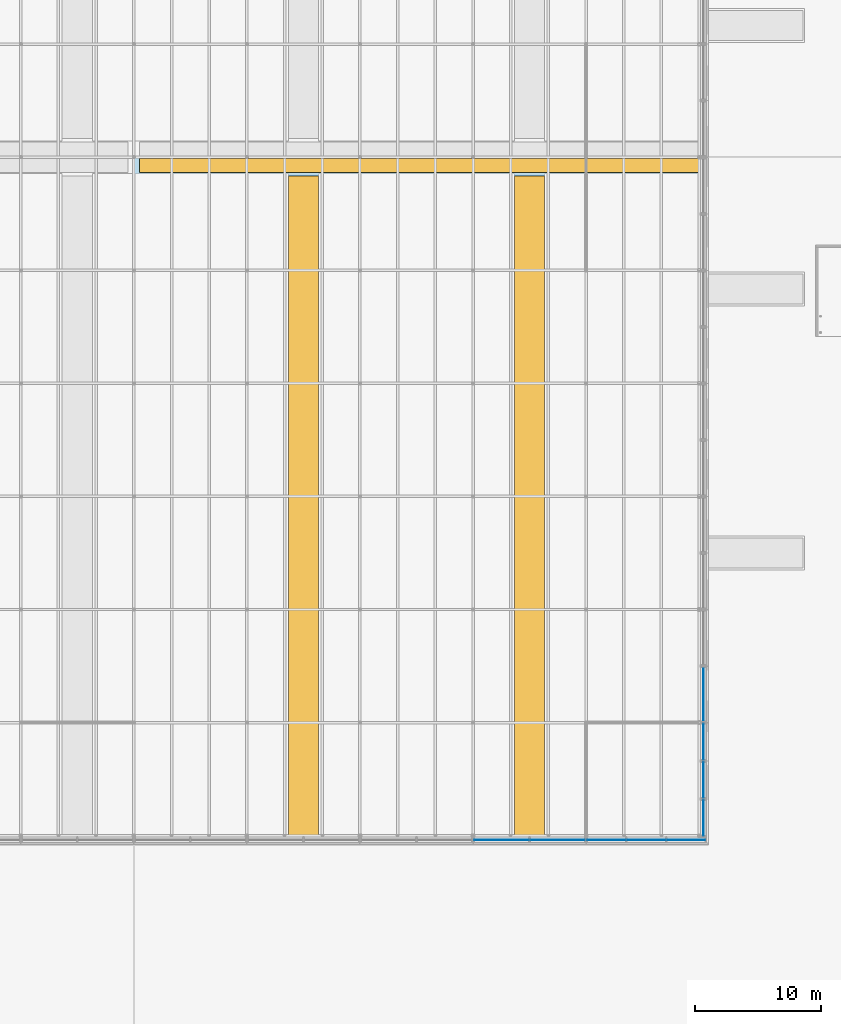
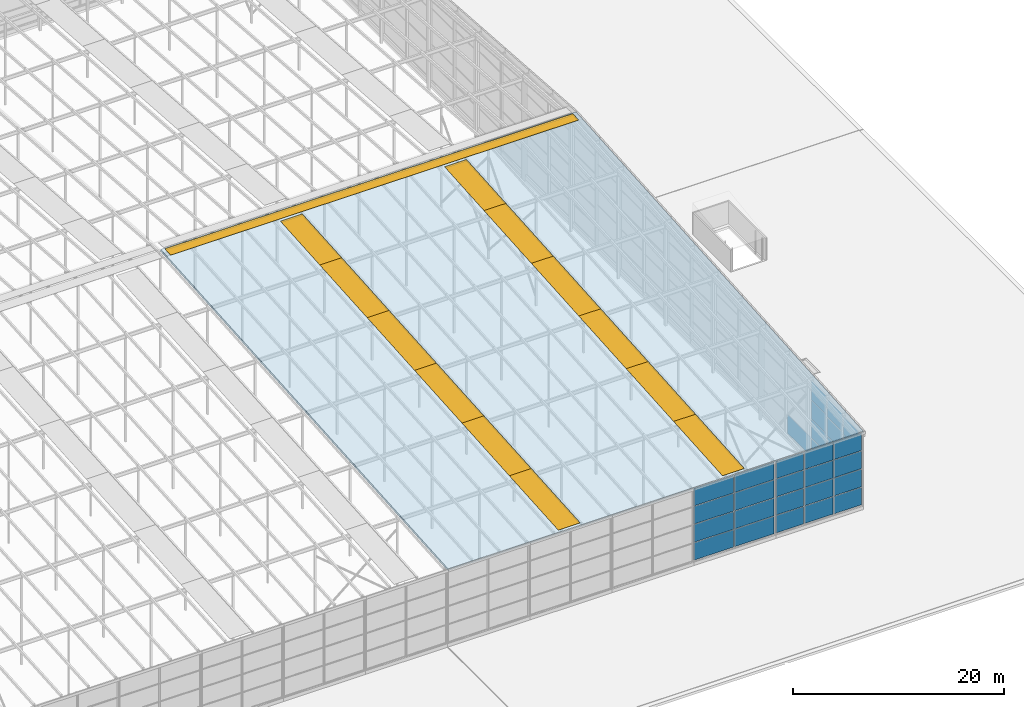
"""IFC4 building model written with IfcOpenShell, lengths in metres."""

from ifc_helpers import new_model, si_unit, direction, frame, origin, origin_2d, place, context, subcontext, project, spatial, polyline, rectangle, outline, extrude, material, layer, layer_set, type_object, element, fill, aggregate, save


model = new_model("IFC4")

# Units and contexts
model_context = context("Model", 3, precision=1e-05, world=origin(), true_north=direction((0.0, 1.0)))
body_context = subcontext(model_context, "Body", "Model", "MODEL_VIEW")
ifc_project = project(units=[si_unit("LENGTHUNIT", "METRE"), si_unit("AREAUNIT", "SQUARE_METRE"), si_unit("VOLUMEUNIT", "CUBIC_METRE"), si_unit("PLANEANGLEUNIT", "RADIAN"), si_unit("MASSUNIT", "GRAM", prefix="KILO")], contexts=[model_context])

# Site, building, storey
site_placement = place(None, origin())
site = spatial("IfcSite", under=ifc_project, at=site_placement, CompositionType="ELEMENT")
building_placement = place(site_placement, origin())
building = spatial("IfcBuilding", under=site, at=building_placement, Name="Silverbay Arena", CompositionType="ELEMENT")
storey_1_placement = place(building_placement, frame((0.0, 0.0, 47.10009765625)))
storey_1 = spatial("IfcBuildingStorey", under=building, at=storey_1_placement, Name="ROOF", CompositionType="ELEMENT", Elevation=47.10009765625)

# Slab, openings
ifc_material_1 = material(Name="Steel S350GD", Category="steel")
ifc_layer_1 = layer(ifc_material_1, 0.25)
ifc_layer_set_1 = layer_set([ifc_layer_1], Name="Steel S350GD")
slab_type = type_object("IfcSlabType", Name="Crown lid deck 250", PredefinedType="ROOF", material=ifc_layer_set_1)
slab_placement = place(storey_1_placement, frame((135.044921875, 26.425048828125, 9.109130859375), z_axis=(0.0, -0.072032280133, 0.99740230129), x_axis=(1.0, 0.0, 0.0)))
slab = element("IfcSlab", 1, at=slab_placement, inside=storey_1, type_object=slab_type, Name="ROOF LID south 02", PredefinedType="ROOF", context=body_context, shape_type="SweptSolid", body=[
    extrude(outline(polyline([(0.0, 0.0), (45.530029296875, 0.0), (45.530029296875, 54.707053849454965), (0.0, 54.707053849454965), (0.0, 0.0)])), origin(), (0.0, 0.0, -1.0), 0.25),
])
placement_1 = place(slab_placement, origin())
opening_1 = element("IfcOpeningElement", 2, at=placement_1, cuts=slab, Name="Opening RL2", PredefinedType="OPENING", context=body_context, shape_type="SweptSolid", body=[
    extrude(outline(polyline([(12.255126953125, 0.30078125), (14.655029296875, 0.30078125), (14.655029296875, 9.599853515625), (12.255126953125, 9.599853515625), (12.255126953125, 0.30078125)])), frame((0.0, 0.0, 0.10009765625)), (0.0, 0.0, -1.0), 0.449951171875),
])
placement_2 = place(slab_placement, origin())
opening_2 = element("IfcOpeningElement", 3, at=placement_2, cuts=slab, Name="Opening RL2", PredefinedType="OPENING", context=body_context, shape_type="SweptSolid", body=[
    extrude(outline(polyline([(12.255126953125, 9.599853515625), (14.655029296875, 9.599853515625), (14.655029296875, 18.623291015625), (12.255126953125, 18.623291015625), (12.255126953125, 9.599853515625)])), frame((0.0, 0.0, 0.10009765625)), (0.0, 0.0, -1.0), 0.449951171875),
])
placement_3 = place(slab_placement, origin())
opening_3 = element("IfcOpeningElement", 4, at=placement_3, cuts=slab, Name="Opening RL2", PredefinedType="OPENING", context=body_context, shape_type="SweptSolid", body=[
    extrude(outline(polyline([(12.255126953125, 18.623291015625), (14.655029296875, 18.623291015625), (14.655029296875, 27.646728515625), (12.255126953125, 27.646728515625), (12.255126953125, 18.623291015625)])), frame((0.0, 0.0, 0.10009765625)), (0.0, 0.0, -1.0), 0.449951171875),
])
placement_4 = place(slab_placement, origin())
opening_4 = element("IfcOpeningElement", 5, at=placement_4, cuts=slab, Name="Opening RL2", PredefinedType="OPENING", context=body_context, shape_type="SweptSolid", body=[
    extrude(outline(polyline([(12.255126953125, 27.646728515625), (14.655029296875, 27.646728515625), (14.655029296875, 36.670166015625), (12.255126953125, 36.670166015625), (12.255126953125, 27.646728515625)])), frame((0.0, 0.0, 0.10009765625)), (0.0, 0.0, -1.0), 0.449951171875),
])
placement_5 = place(slab_placement, origin())
opening_5 = element("IfcOpeningElement", 6, at=placement_5, cuts=slab, Name="Opening RL2", PredefinedType="OPENING", context=body_context, shape_type="SweptSolid", body=[
    extrude(outline(polyline([(12.255126953125, 36.670166015625), (14.655029296875, 36.670166015625), (14.655029296875, 45.693603515625), (12.255126953125, 45.693603515625), (12.255126953125, 36.670166015625)])), frame((0.0, 0.0, 0.10009765625)), (0.0, 0.0, -1.0), 0.449951171875),
])
placement_6 = place(slab_placement, origin())
opening_6 = element("IfcOpeningElement", 7, at=placement_6, cuts=slab, Name="Opening RL2", PredefinedType="OPENING", context=body_context, shape_type="SweptSolid", body=[
    extrude(outline(polyline([(12.255126953125, 45.693603515625), (14.655029296875, 45.693603515625), (14.655029296875, 53.213134765625), (12.255126953125, 53.213134765625), (12.255126953125, 45.693603515625)])), frame((0.0, 0.0, 0.10009765625)), (0.0, 0.0, -1.0), 0.449951171875),
])
placement_7 = place(slab_placement, origin())
opening_7 = element("IfcOpeningElement", 8, at=placement_7, cuts=slab, Name="Opening RL2", PredefinedType="OPENING", context=body_context, shape_type="SweptSolid", body=[
    extrude(outline(polyline([(30.255126953125, 0.30078125), (32.655029296875, 0.30078125), (32.655029296875, 9.599853515625), (30.255126953125, 9.599853515625), (30.255126953125, 0.30078125)])), frame((0.0, 0.0, 0.10009765625)), (0.0, 0.0, -1.0), 0.449951171875),
])
placement_8 = place(slab_placement, origin())
opening_8 = element("IfcOpeningElement", 9, at=placement_8, cuts=slab, Name="Opening RL2", PredefinedType="OPENING", context=body_context, shape_type="SweptSolid", body=[
    extrude(outline(polyline([(30.255126953125, 9.599853515625), (32.655029296875, 9.599853515625), (32.655029296875, 18.623291015625), (30.255126953125, 18.623291015625), (30.255126953125, 9.599853515625)])), frame((0.0, 0.0, 0.10009765625)), (0.0, 0.0, -1.0), 0.449951171875),
])
placement_9 = place(slab_placement, origin())
opening_9 = element("IfcOpeningElement", 10, at=placement_9, cuts=slab, Name="Opening RL2", PredefinedType="OPENING", context=body_context, shape_type="SweptSolid", body=[
    extrude(outline(polyline([(30.255126953125, 18.623291015625), (32.655029296875, 18.623291015625), (32.655029296875, 27.646728515625), (30.255126953125, 27.646728515625), (30.255126953125, 18.623291015625)])), frame((0.0, 0.0, 0.10009765625)), (0.0, 0.0, -1.0), 0.449951171875),
])
placement_10 = place(slab_placement, origin())
opening_10 = element("IfcOpeningElement", 11, at=placement_10, cuts=slab, Name="Opening RL2", PredefinedType="OPENING", context=body_context, shape_type="SweptSolid", body=[
    extrude(outline(polyline([(30.255126953125, 27.646728515625), (32.655029296875, 27.646728515625), (32.655029296875, 36.670166015625), (30.255126953125, 36.670166015625), (30.255126953125, 27.646728515625)])), frame((0.0, 0.0, 0.10009765625)), (0.0, 0.0, -1.0), 0.449951171875),
])
placement_11 = place(slab_placement, origin())
opening_11 = element("IfcOpeningElement", 12, at=placement_11, cuts=slab, Name="Opening RL2", PredefinedType="OPENING", context=body_context, shape_type="SweptSolid", body=[
    extrude(outline(polyline([(30.255126953125, 36.670166015625), (32.655029296875, 36.670166015625), (32.655029296875, 45.693603515625), (30.255126953125, 45.693603515625), (30.255126953125, 36.670166015625)])), frame((0.0, 0.0, 0.10009765625)), (0.0, 0.0, -1.0), 0.449951171875),
])
placement_12 = place(slab_placement, origin())
opening_12 = element("IfcOpeningElement", 13, at=placement_12, cuts=slab, Name="Opening RL2", PredefinedType="OPENING", context=body_context, shape_type="SweptSolid", body=[
    extrude(outline(polyline([(30.255126953125, 45.693603515625), (32.655029296875, 45.693603515625), (32.655029296875, 53.213134765625), (30.255126953125, 53.213134765625), (30.255126953125, 45.693603515625)])), frame((0.0, 0.0, 0.10009765625)), (0.0, 0.0, -1.0), 0.449951171875),
])
placement_13 = place(slab_placement, origin())
opening_13 = element("IfcOpeningElement", 14, at=placement_13, cuts=slab, Name="Opening RL2", PredefinedType="OPENING", context=body_context, shape_type="SweptSolid", body=[
    extrude(outline(polyline([(0.400146484375, 53.513916015625), (45.130126953125, 53.513916015625), (45.130126953125, 54.61669921875), (0.400146484375, 54.61669921875), (0.400146484375, 53.513916015625)])), frame((0.0, 0.0, 0.10009765625)), (0.0, 0.0, -1.0), 0.449951171875),
])

# Storey
storey_2_placement = place(building_placement, frame((0.0, 0.0, 33.5)))
storey_2 = spatial("IfcBuildingStorey", under=building, at=storey_2_placement, Name="L05", CompositionType="ELEMENT", Elevation=33.5)

# Window
ifc_material_2 = material(Name="Aluminium framed glazing", Category="aluminium")
window_type = type_object("IfcWindowType", Name="Crown rooflight 2400", PartitioningType="SINGLE_PANEL", PredefinedType="SKYLIGHT", material=ifc_material_2)
window_1 = element("IfcWindow", 15, at=placement_1, inside=storey_2, type_object=window_type, Name="Crown rooflight south 13", OverallHeight=1.0, OverallWidth=1.0, PartitioningType="SINGLE_PANEL", PredefinedType="SKYLIGHT", context=body_context, shape_type="SweptSolid", body=[
    extrude(outline(polyline([(12.255126953125, 0.30078125), (14.655029296875, 0.30078125), (14.655029296875, 9.599853515625), (12.255126953125, 9.599853515625), (12.255126953125, 0.30078125)])), origin(), (0.0, 0.0, -1.0), 0.050048828125),
])

fill(opening_1, window_1)

window_2 = element("IfcWindow", 16, at=placement_2, inside=storey_2, type_object=window_type, Name="Crown rooflight south 14", OverallHeight=1.0, OverallWidth=1.0, PartitioningType="SINGLE_PANEL", PredefinedType="SKYLIGHT", context=body_context, shape_type="SweptSolid", body=[
    extrude(outline(polyline([(12.255126953125, 9.599853515625), (14.655029296875, 9.599853515625), (14.655029296875, 18.623291015625), (12.255126953125, 18.623291015625), (12.255126953125, 9.599853515625)])), origin(), (0.0, 0.0, -1.0), 0.050048828125),
])

fill(opening_2, window_2)

window_3 = element("IfcWindow", 17, at=placement_3, inside=storey_2, type_object=window_type, Name="Crown rooflight south 15", OverallHeight=1.0, OverallWidth=1.0, PartitioningType="SINGLE_PANEL", PredefinedType="SKYLIGHT", context=body_context, shape_type="SweptSolid", body=[
    extrude(outline(polyline([(12.255126953125, 18.623291015625), (14.655029296875, 18.623291015625), (14.655029296875, 27.646728515625), (12.255126953125, 27.646728515625), (12.255126953125, 18.623291015625)])), origin(), (0.0, 0.0, -1.0), 0.050048828125),
])

fill(opening_3, window_3)

window_4 = element("IfcWindow", 18, at=placement_4, inside=storey_2, type_object=window_type, Name="Crown rooflight south 16", OverallHeight=1.0, OverallWidth=1.0, PartitioningType="SINGLE_PANEL", PredefinedType="SKYLIGHT", context=body_context, shape_type="SweptSolid", body=[
    extrude(outline(polyline([(12.255126953125, 27.646728515625), (14.655029296875, 27.646728515625), (14.655029296875, 36.670166015625), (12.255126953125, 36.670166015625), (12.255126953125, 27.646728515625)])), origin(), (0.0, 0.0, -1.0), 0.050048828125),
])

fill(opening_4, window_4)

window_5 = element("IfcWindow", 19, at=placement_5, inside=storey_2, type_object=window_type, Name="Crown rooflight south 17", OverallHeight=1.0, OverallWidth=1.0, PartitioningType="SINGLE_PANEL", PredefinedType="SKYLIGHT", context=body_context, shape_type="SweptSolid", body=[
    extrude(outline(polyline([(12.255126953125, 36.670166015625), (14.655029296875, 36.670166015625), (14.655029296875, 45.693603515625), (12.255126953125, 45.693603515625), (12.255126953125, 36.670166015625)])), origin(), (0.0, 0.0, -1.0), 0.050048828125),
])

fill(opening_5, window_5)

window_6 = element("IfcWindow", 20, at=placement_6, inside=storey_2, type_object=window_type, Name="Crown rooflight south 18", OverallHeight=1.0, OverallWidth=1.0, PartitioningType="SINGLE_PANEL", PredefinedType="SKYLIGHT", context=body_context, shape_type="SweptSolid", body=[
    extrude(outline(polyline([(12.255126953125, 45.693603515625), (14.655029296875, 45.693603515625), (14.655029296875, 53.213134765625), (12.255126953125, 53.213134765625), (12.255126953125, 45.693603515625)])), origin(), (0.0, 0.0, -1.0), 0.050048828125),
])

fill(opening_6, window_6)

window_7 = element("IfcWindow", 21, at=placement_7, inside=storey_2, type_object=window_type, Name="Crown rooflight south 19", OverallHeight=1.0, OverallWidth=1.0, PartitioningType="SINGLE_PANEL", PredefinedType="SKYLIGHT", context=body_context, shape_type="SweptSolid", body=[
    extrude(outline(polyline([(30.255126953125, 0.30078125), (32.655029296875, 0.30078125), (32.655029296875, 9.599853515625), (30.255126953125, 9.599853515625), (30.255126953125, 0.30078125)])), origin(), (0.0, 0.0, -1.0), 0.050048828125),
])

fill(opening_7, window_7)

window_8 = element("IfcWindow", 22, at=placement_8, inside=storey_2, type_object=window_type, Name="Crown rooflight south 20", OverallHeight=1.0, OverallWidth=1.0, PartitioningType="SINGLE_PANEL", PredefinedType="SKYLIGHT", context=body_context, shape_type="SweptSolid", body=[
    extrude(outline(polyline([(30.255126953125, 9.599853515625), (32.655029296875, 9.599853515625), (32.655029296875, 18.623291015625), (30.255126953125, 18.623291015625), (30.255126953125, 9.599853515625)])), origin(), (0.0, 0.0, -1.0), 0.050048828125),
])

fill(opening_8, window_8)

window_9 = element("IfcWindow", 23, at=placement_9, inside=storey_2, type_object=window_type, Name="Crown rooflight south 21", OverallHeight=1.0, OverallWidth=1.0, PartitioningType="SINGLE_PANEL", PredefinedType="SKYLIGHT", context=body_context, shape_type="SweptSolid", body=[
    extrude(outline(polyline([(30.255126953125, 18.623291015625), (32.655029296875, 18.623291015625), (32.655029296875, 27.646728515625), (30.255126953125, 27.646728515625), (30.255126953125, 18.623291015625)])), origin(), (0.0, 0.0, -1.0), 0.050048828125),
])

fill(opening_9, window_9)

window_10 = element("IfcWindow", 24, at=placement_10, inside=storey_2, type_object=window_type, Name="Crown rooflight south 22", OverallHeight=1.0, OverallWidth=1.0, PartitioningType="SINGLE_PANEL", PredefinedType="SKYLIGHT", context=body_context, shape_type="SweptSolid", body=[
    extrude(outline(polyline([(30.255126953125, 27.646728515625), (32.655029296875, 27.646728515625), (32.655029296875, 36.670166015625), (30.255126953125, 36.670166015625), (30.255126953125, 27.646728515625)])), origin(), (0.0, 0.0, -1.0), 0.050048828125),
])

fill(opening_10, window_10)

window_11 = element("IfcWindow", 25, at=placement_11, inside=storey_2, type_object=window_type, Name="Crown rooflight south 23", OverallHeight=1.0, OverallWidth=1.0, PartitioningType="SINGLE_PANEL", PredefinedType="SKYLIGHT", context=body_context, shape_type="SweptSolid", body=[
    extrude(outline(polyline([(30.255126953125, 36.670166015625), (32.655029296875, 36.670166015625), (32.655029296875, 45.693603515625), (30.255126953125, 45.693603515625), (30.255126953125, 36.670166015625)])), origin(), (0.0, 0.0, -1.0), 0.050048828125),
])

fill(opening_11, window_11)

window_12 = element("IfcWindow", 26, at=placement_12, inside=storey_2, type_object=window_type, Name="Crown rooflight south 24", OverallHeight=1.0, OverallWidth=1.0, PartitioningType="SINGLE_PANEL", PredefinedType="SKYLIGHT", context=body_context, shape_type="SweptSolid", body=[
    extrude(outline(polyline([(30.255126953125, 45.693603515625), (32.655029296875, 45.693603515625), (32.655029296875, 53.213134765625), (30.255126953125, 53.213134765625), (30.255126953125, 45.693603515625)])), origin(), (0.0, 0.0, -1.0), 0.050048828125),
])

fill(opening_12, window_12)

window_13 = element("IfcWindow", 27, at=placement_13, inside=storey_2, type_object=window_type, Name="Crown ridge rooflight south 26", OverallHeight=1.0, OverallWidth=1.0, PartitioningType="SINGLE_PANEL", PredefinedType="SKYLIGHT", context=body_context, shape_type="SweptSolid", body=[
    extrude(outline(polyline([(0.400146484375, 53.513916015625), (45.130126953125, 53.513916015625), (45.130126953125, 54.61669921875), (0.400146484375, 54.61669921875), (0.400146484375, 53.513916015625)])), origin(), (0.0, 0.0, -1.0), 0.050048828125),
])

fill(opening_13, window_13)

# Curtain wall, plates
ifc_material_3 = material(Name="Aluminium framed glazing", Category="aluminium")
curtain_wall_type_1 = type_object("IfcCurtainWallType", Name="Curtain wall crown 9000 x 8425", PredefinedType="NOTDEFINED", material=ifc_material_3)
curtain_wall_1_placement = place(storey_1_placement, origin())
curtain_wall_1 = element("IfcCurtainWall", 28, at=curtain_wall_1_placement, inside=storey_1, type_object=curtain_wall_type_1, Name="ROOF CROWN CURTAIN WALL south bay 10", PredefinedType="NOTDEFINED")
ifc_material_4 = material(Name="Laminated glass", Category="glass")
ifc_layer_2 = layer(ifc_material_4, 0.031982421875)
ifc_layer_set_2 = layer_set([ifc_layer_2], Name="Laminated glass")
plate_type = type_object("IfcPlateType", Name="Glass panel 32", PredefinedType="CURTAIN_PANEL", material=ifc_layer_set_2)
plate_1_placement = place(storey_2_placement, frame((164.27490234375, 26.64990234375, 14.110107421875), z_axis=(0.0, 0.0, 1.0), x_axis=(1.0, 0.0, 0.0)))
plate_1 = element("IfcPlate", 29, at=plate_1_placement, type_object=plate_type, Name="CW62 panel 1.1", PredefinedType="CURTAIN_PANEL", context=body_context, shape_type="SweptSolid", body=[
    extrude(rectangle(XDim=4.35009765625, YDim=0.031982421875, at=origin_2d()), origin(), (0.0, 0.0, 1.0), 2.01611328125),
])
plate_2_placement = place(storey_2_placement, frame((164.27490234375, 26.64990234375, 16.18603515625), z_axis=(0.0, 0.0, 1.0), x_axis=(1.0, 0.0, 0.0)))
plate_2 = element("IfcPlate", 30, at=plate_2_placement, type_object=plate_type, Name="CW62 panel 1.2", PredefinedType="CURTAIN_PANEL", context=body_context, shape_type="SweptSolid", body=[
    extrude(rectangle(XDim=4.35009765625, YDim=0.031982421875, at=origin_2d()), origin(), (0.0, 0.0, 1.0), 2.046142578125),
])
plate_3_placement = place(storey_2_placement, frame((164.27490234375, 26.64990234375, 18.29248046875), z_axis=(0.0, 0.0, 1.0), x_axis=(1.0, 0.0, 0.0)))
plate_3 = element("IfcPlate", 31, at=plate_3_placement, type_object=plate_type, Name="CW62 panel 1.3", PredefinedType="CURTAIN_PANEL", context=body_context, shape_type="SweptSolid", body=[
    extrude(rectangle(XDim=4.35009765625, YDim=0.031982421875, at=origin_2d()), origin(), (0.0, 0.0, 1.0), 2.046142578125),
])
plate_4_placement = place(storey_2_placement, frame((164.27490234375, 26.64990234375, 20.398681640625), z_axis=(0.0, 0.0, 1.0), x_axis=(1.0, 0.0, 0.0)))
plate_4 = element("IfcPlate", 32, at=plate_4_placement, type_object=plate_type, Name="CW62 panel 1.4", PredefinedType="CURTAIN_PANEL", context=body_context, shape_type="SweptSolid", body=[
    extrude(rectangle(XDim=4.35009765625, YDim=0.031982421875, at=origin_2d()), origin(), (0.0, 0.0, 1.0), 2.01611328125),
])
plate_5_placement = place(storey_2_placement, frame((168.72509765625, 26.64990234375, 14.110107421875), z_axis=(0.0, 0.0, 1.0), x_axis=(1.0, 0.0, 0.0)))
plate_5 = element("IfcPlate", 33, at=plate_5_placement, type_object=plate_type, Name="CW62 panel 2.1", PredefinedType="CURTAIN_PANEL", context=body_context, shape_type="SweptSolid", body=[
    extrude(rectangle(XDim=4.35009765625, YDim=0.031982421875, at=origin_2d()), origin(), (0.0, 0.0, 1.0), 2.01611328125),
])
plate_6_placement = place(storey_2_placement, frame((168.72509765625, 26.64990234375, 16.18603515625), z_axis=(0.0, 0.0, 1.0), x_axis=(1.0, 0.0, 0.0)))
plate_6 = element("IfcPlate", 34, at=plate_6_placement, type_object=plate_type, Name="CW62 panel 2.2", PredefinedType="CURTAIN_PANEL", context=body_context, shape_type="SweptSolid", body=[
    extrude(rectangle(XDim=4.35009765625, YDim=0.031982421875, at=origin_2d()), origin(), (0.0, 0.0, 1.0), 2.046142578125),
])
plate_7_placement = place(storey_2_placement, frame((168.72509765625, 26.64990234375, 18.29248046875), z_axis=(0.0, 0.0, 1.0), x_axis=(1.0, 0.0, 0.0)))
plate_7 = element("IfcPlate", 35, at=plate_7_placement, type_object=plate_type, Name="CW62 panel 2.3", PredefinedType="CURTAIN_PANEL", context=body_context, shape_type="SweptSolid", body=[
    extrude(rectangle(XDim=4.35009765625, YDim=0.031982421875, at=origin_2d()), origin(), (0.0, 0.0, 1.0), 2.046142578125),
])
plate_8_placement = place(storey_2_placement, frame((168.72509765625, 26.64990234375, 20.398681640625), z_axis=(0.0, 0.0, 1.0), x_axis=(1.0, 0.0, 0.0)))
plate_8 = element("IfcPlate", 36, at=plate_8_placement, type_object=plate_type, Name="CW62 panel 2.4", PredefinedType="CURTAIN_PANEL", context=body_context, shape_type="SweptSolid", body=[
    extrude(rectangle(XDim=4.35009765625, YDim=0.031982421875, at=origin_2d()), origin(), (0.0, 0.0, 1.0), 2.01611328125),
])
aggregate(curtain_wall_1, [plate_1, plate_2, plate_3, plate_4, plate_5, plate_6, plate_7, plate_8])

ifc_material_5 = material(Name="Aluminium framed glazing", Category="aluminium")
curtain_wall_type_2 = type_object("IfcCurtainWallType", Name="Curtain wall crown 9575 x 8425", PredefinedType="NOTDEFINED", material=ifc_material_5)
curtain_wall_2_placement = place(storey_1_placement, origin())
curtain_wall_2 = element("IfcCurtainWall", 37, at=curtain_wall_2_placement, inside=storey_1, type_object=curtain_wall_type_2, Name="ROOF CROWN CURTAIN WALL south bay 11", PredefinedType="NOTDEFINED")
plate_9_placement = place(storey_2_placement, frame((172.620849609375, 26.64990234375, 14.110107421875), z_axis=(0.0, 0.0, 1.0), x_axis=(1.0, 0.0, 0.0)))
plate_9 = element("IfcPlate", 38, at=plate_9_placement, type_object=plate_type, Name="CW61 panel 1.1", PredefinedType="CURTAIN_PANEL", context=body_context, shape_type="SweptSolid", body=[
    extrude(rectangle(XDim=3.041748046875, YDim=0.031982421875, at=origin_2d()), origin(), (0.0, 0.0, 1.0), 2.01611328125),
])
plate_10_placement = place(storey_2_placement, frame((172.620849609375, 26.64990234375, 16.18603515625), z_axis=(0.0, 0.0, 1.0), x_axis=(1.0, 0.0, 0.0)))
plate_10 = element("IfcPlate", 39, at=plate_10_placement, type_object=plate_type, Name="CW61 panel 1.2", PredefinedType="CURTAIN_PANEL", context=body_context, shape_type="SweptSolid", body=[
    extrude(rectangle(XDim=3.041748046875, YDim=0.031982421875, at=origin_2d()), origin(), (0.0, 0.0, 1.0), 2.046142578125),
])
plate_11_placement = place(storey_2_placement, frame((172.620849609375, 26.64990234375, 18.29248046875), z_axis=(0.0, 0.0, 1.0), x_axis=(1.0, 0.0, 0.0)))
plate_11 = element("IfcPlate", 40, at=plate_11_placement, type_object=plate_type, Name="CW61 panel 1.3", PredefinedType="CURTAIN_PANEL", context=body_context, shape_type="SweptSolid", body=[
    extrude(rectangle(XDim=3.041748046875, YDim=0.031982421875, at=origin_2d()), origin(), (0.0, 0.0, 1.0), 2.046142578125),
])
plate_12_placement = place(storey_2_placement, frame((172.620849609375, 26.64990234375, 20.398681640625), z_axis=(0.0, 0.0, 1.0), x_axis=(1.0, 0.0, 0.0)))
plate_12 = element("IfcPlate", 41, at=plate_12_placement, type_object=plate_type, Name="CW61 panel 1.4", PredefinedType="CURTAIN_PANEL", context=body_context, shape_type="SweptSolid", body=[
    extrude(rectangle(XDim=3.041748046875, YDim=0.031982421875, at=origin_2d()), origin(), (0.0, 0.0, 1.0), 2.01611328125),
])
plate_13_placement = place(storey_2_placement, frame((175.78759765625, 26.64990234375, 14.110107421875), z_axis=(0.0, 0.0, 1.0), x_axis=(1.0, 0.0, 0.0)))
plate_13 = element("IfcPlate", 42, at=plate_13_placement, type_object=plate_type, Name="CW61 panel 2.1", PredefinedType="CURTAIN_PANEL", context=body_context, shape_type="SweptSolid", body=[
    extrude(rectangle(XDim=3.091552734375, YDim=0.031982421875, at=origin_2d()), origin(), (0.0, 0.0, 1.0), 2.01611328125),
])
plate_14_placement = place(storey_2_placement, frame((175.78759765625, 26.64990234375, 16.18603515625), z_axis=(0.0, 0.0, 1.0), x_axis=(1.0, 0.0, 0.0)))
plate_14 = element("IfcPlate", 43, at=plate_14_placement, type_object=plate_type, Name="CW61 panel 2.2", PredefinedType="CURTAIN_PANEL", context=body_context, shape_type="SweptSolid", body=[
    extrude(rectangle(XDim=3.091552734375, YDim=0.031982421875, at=origin_2d()), origin(), (0.0, 0.0, 1.0), 2.046142578125),
])
plate_15_placement = place(storey_2_placement, frame((175.78759765625, 26.64990234375, 18.29248046875), z_axis=(0.0, 0.0, 1.0), x_axis=(1.0, 0.0, 0.0)))
plate_15 = element("IfcPlate", 44, at=plate_15_placement, type_object=plate_type, Name="CW61 panel 2.3", PredefinedType="CURTAIN_PANEL", context=body_context, shape_type="SweptSolid", body=[
    extrude(rectangle(XDim=3.091552734375, YDim=0.031982421875, at=origin_2d()), origin(), (0.0, 0.0, 1.0), 2.046142578125),
])
plate_16_placement = place(storey_2_placement, frame((175.78759765625, 26.64990234375, 20.398681640625), z_axis=(0.0, 0.0, 1.0), x_axis=(1.0, 0.0, 0.0)))
plate_16 = element("IfcPlate", 45, at=plate_16_placement, type_object=plate_type, Name="CW61 panel 2.4", PredefinedType="CURTAIN_PANEL", context=body_context, shape_type="SweptSolid", body=[
    extrude(rectangle(XDim=3.091552734375, YDim=0.031982421875, at=origin_2d()), origin(), (0.0, 0.0, 1.0), 2.01611328125),
])
plate_17_placement = place(storey_2_placement, frame((178.9541015625, 26.64990234375, 14.110107421875), z_axis=(0.0, 0.0, 1.0), x_axis=(1.0, 0.0, 0.0)))
plate_17 = element("IfcPlate", 46, at=plate_17_placement, type_object=plate_type, Name="CW61 panel 3.1", PredefinedType="CURTAIN_PANEL", context=body_context, shape_type="SweptSolid", body=[
    extrude(rectangle(XDim=3.041748046875, YDim=0.031982421875, at=origin_2d()), origin(), (0.0, 0.0, 1.0), 2.01611328125),
])
plate_18_placement = place(storey_2_placement, frame((178.9541015625, 26.64990234375, 16.18603515625), z_axis=(0.0, 0.0, 1.0), x_axis=(1.0, 0.0, 0.0)))
plate_18 = element("IfcPlate", 47, at=plate_18_placement, type_object=plate_type, Name="CW61 panel 3.2", PredefinedType="CURTAIN_PANEL", context=body_context, shape_type="SweptSolid", body=[
    extrude(rectangle(XDim=3.041748046875, YDim=0.031982421875, at=origin_2d()), origin(), (0.0, 0.0, 1.0), 2.046142578125),
])
plate_19_placement = place(storey_2_placement, frame((178.9541015625, 26.64990234375, 18.29248046875), z_axis=(0.0, 0.0, 1.0), x_axis=(1.0, 0.0, 0.0)))
plate_19 = element("IfcPlate", 48, at=plate_19_placement, type_object=plate_type, Name="CW61 panel 3.3", PredefinedType="CURTAIN_PANEL", context=body_context, shape_type="SweptSolid", body=[
    extrude(rectangle(XDim=3.041748046875, YDim=0.031982421875, at=origin_2d()), origin(), (0.0, 0.0, 1.0), 2.046142578125),
])
plate_20_placement = place(storey_2_placement, frame((178.9541015625, 26.64990234375, 20.398681640625), z_axis=(0.0, 0.0, 1.0), x_axis=(1.0, 0.0, 0.0)))
plate_20 = element("IfcPlate", 49, at=plate_20_placement, type_object=plate_type, Name="CW61 panel 3.4", PredefinedType="CURTAIN_PANEL", context=body_context, shape_type="SweptSolid", body=[
    extrude(rectangle(XDim=3.041748046875, YDim=0.031982421875, at=origin_2d()), origin(), (0.0, 0.0, 1.0), 2.01611328125),
])
aggregate(curtain_wall_2, [plate_9, plate_10, plate_11, plate_12, plate_13, plate_14, plate_15, plate_16, plate_17, plate_18, plate_19, plate_20])

ifc_material_6 = material(Name="Aluminium framed glazing", Category="aluminium")
curtain_wall_type_3 = type_object("IfcCurtainWallType", Name="Curtain wall crown 3042 x 8441", PredefinedType="NOTDEFINED", material=ifc_material_6)
curtain_wall_3_placement = place(storey_1_placement, origin())
curtain_wall_3 = element("IfcCurtainWall", 50, at=curtain_wall_3_placement, inside=storey_1, type_object=curtain_wall_type_3, Name="ROOF CROWN CURTAIN WALL east bay 01", PredefinedType="NOTDEFINED")
plate_21_placement = place(storey_2_placement, frame((180.35009765625, 28.395751953125, 14.10986328125), z_axis=(0.0, 0.0, 1.0), x_axis=(0.0, 1.0, 0.0)))
plate_21 = element("IfcPlate", 51, at=plate_21_placement, type_object=plate_type, Name="CW63 panel 1.1", PredefinedType="CURTAIN_PANEL", context=body_context, shape_type="SweptSolid", body=[
    extrude(rectangle(XDim=2.841552734375, YDim=0.031982421875, at=origin_2d()), origin(), (0.0, 0.0, 1.0), 2.020263671875),
])
plate_22_placement = place(storey_2_placement, frame((180.35009765625, 28.395751953125, 16.190185546875), z_axis=(0.0, 0.0, 1.0), x_axis=(0.0, 1.0, 0.0)))
plate_22 = element("IfcPlate", 52, at=plate_22_placement, type_object=plate_type, Name="CW63 panel 1.2", PredefinedType="CURTAIN_PANEL", context=body_context, shape_type="SweptSolid", body=[
    extrude(rectangle(XDim=2.841552734375, YDim=0.031982421875, at=origin_2d()), origin(), (0.0, 0.0, 1.0), 2.05029296875),
])
plate_23_placement = place(storey_2_placement, frame((180.35009765625, 28.395751953125, 18.300537109375), z_axis=(0.0, 0.0, 1.0), x_axis=(0.0, 1.0, 0.0)))
plate_23 = element("IfcPlate", 53, at=plate_23_placement, type_object=plate_type, Name="CW63 panel 1.3", PredefinedType="CURTAIN_PANEL", context=body_context, shape_type="SweptSolid", body=[
    extrude(rectangle(XDim=2.841552734375, YDim=0.031982421875, at=origin_2d()), origin(), (0.0, 0.0, 1.0), 2.05029296875),
])
plate_24_placement = place(storey_2_placement, frame((180.35009765625, 28.395751953125, 20.41064453125), z_axis=(0.0, 0.0, 1.0), x_axis=(0.0, 1.0, 0.0)))
plate_24 = element("IfcPlate", 54, at=plate_24_placement, type_object=plate_type, Name="CW63 panel 1.4", PredefinedType="CURTAIN_PANEL", context=body_context, shape_type="SweptSolid", body=[
    extrude(rectangle(XDim=2.841552734375, YDim=0.031982421875, at=origin_2d()), origin(), (0.0, 0.0, 1.0), 2.020263671875),
])
aggregate(curtain_wall_3, [plate_21, plate_22, plate_23, plate_24])

ifc_material_7 = material(Name="Aluminium framed glazing", Category="aluminium")
curtain_wall_type_4 = type_object("IfcCurtainWallType", Name="Curtain wall crown 3042 x 8661", PredefinedType="NOTDEFINED", material=ifc_material_7)
curtain_wall_4_placement = place(storey_1_placement, origin())
curtain_wall_4 = element("IfcCurtainWall", 55, at=curtain_wall_4_placement, inside=storey_1, type_object=curtain_wall_type_4, Name="ROOF CROWN CURTAIN WALL east bay 02", PredefinedType="NOTDEFINED")
plate_25_placement = place(storey_2_placement, frame((180.35009765625, 31.4375, 14.10986328125), z_axis=(0.0, 0.0, 1.0), x_axis=(0.0, 1.0, 0.0)))
plate_25 = element("IfcPlate", 56, at=plate_25_placement, type_object=plate_type, Name="CW64 panel 1.1", PredefinedType="CURTAIN_PANEL", context=body_context, shape_type="SweptSolid", body=[
    extrude(rectangle(XDim=2.841552734375, YDim=0.031982421875, at=origin_2d()), origin(), (0.0, 0.0, 1.0), 2.0751953125),
])
plate_26_placement = place(storey_2_placement, frame((180.35009765625, 31.4375, 16.2451171875), z_axis=(0.0, 0.0, 1.0), x_axis=(0.0, 1.0, 0.0)))
plate_26 = element("IfcPlate", 57, at=plate_26_placement, type_object=plate_type, Name="CW64 panel 1.2", PredefinedType="CURTAIN_PANEL", context=body_context, shape_type="SweptSolid", body=[
    extrude(rectangle(XDim=2.841552734375, YDim=0.031982421875, at=origin_2d()), origin(), (0.0, 0.0, 1.0), 2.105224609375),
])
plate_27_placement = place(storey_2_placement, frame((180.35009765625, 31.4375, 18.41015625), z_axis=(0.0, 0.0, 1.0), x_axis=(0.0, 1.0, 0.0)))
plate_27 = element("IfcPlate", 58, at=plate_27_placement, type_object=plate_type, Name="CW64 panel 1.3", PredefinedType="CURTAIN_PANEL", context=body_context, shape_type="SweptSolid", body=[
    extrude(rectangle(XDim=2.841552734375, YDim=0.031982421875, at=origin_2d()), origin(), (0.0, 0.0, 1.0), 2.105224609375),
])
plate_28_placement = place(storey_2_placement, frame((180.35009765625, 31.4375, 20.575439453125), z_axis=(0.0, 0.0, 1.0), x_axis=(0.0, 1.0, 0.0)))
plate_28 = element("IfcPlate", 59, at=plate_28_placement, type_object=plate_type, Name="CW64 panel 1.4", PredefinedType="CURTAIN_PANEL", context=body_context, shape_type="SweptSolid", body=[
    extrude(rectangle(XDim=2.841552734375, YDim=0.031982421875, at=origin_2d()), origin(), (0.0, 0.0, 1.0), 2.0751953125),
])
aggregate(curtain_wall_4, [plate_25, plate_26, plate_27, plate_28])

ifc_material_8 = material(Name="Aluminium framed glazing", Category="aluminium")
curtain_wall_type_5 = type_object("IfcCurtainWallType", Name="Curtain wall crown 3042 x 8880", PredefinedType="NOTDEFINED", material=ifc_material_8)
curtain_wall_5_placement = place(storey_1_placement, origin())
curtain_wall_5 = element("IfcCurtainWall", 60, at=curtain_wall_5_placement, inside=storey_1, type_object=curtain_wall_type_5, Name="ROOF CROWN CURTAIN WALL east bay 03", PredefinedType="NOTDEFINED")
plate_29_placement = place(storey_2_placement, frame((180.35009765625, 34.479248046875, 14.10986328125), z_axis=(0.0, 0.0, 1.0), x_axis=(0.0, 1.0, 0.0)))
plate_29 = element("IfcPlate", 61, at=plate_29_placement, type_object=plate_type, Name="CW65 panel 1.1", PredefinedType="CURTAIN_PANEL", context=body_context, shape_type="SweptSolid", body=[
    extrude(rectangle(XDim=2.841552734375, YDim=0.031982421875, at=origin_2d()), origin(), (0.0, 0.0, 1.0), 2.130126953125),
])
plate_30_placement = place(storey_2_placement, frame((180.35009765625, 34.479248046875, 16.300048828125), z_axis=(0.0, 0.0, 1.0), x_axis=(0.0, 1.0, 0.0)))
plate_30 = element("IfcPlate", 62, at=plate_30_placement, type_object=plate_type, Name="CW65 panel 1.2", PredefinedType="CURTAIN_PANEL", context=body_context, shape_type="SweptSolid", body=[
    extrude(rectangle(XDim=2.841552734375, YDim=0.031982421875, at=origin_2d()), origin(), (0.0, 0.0, 1.0), 2.16015625),
])
plate_31_placement = place(storey_2_placement, frame((180.35009765625, 34.479248046875, 18.52001953125), z_axis=(0.0, 0.0, 1.0), x_axis=(0.0, 1.0, 0.0)))
plate_31 = element("IfcPlate", 63, at=plate_31_placement, type_object=plate_type, Name="CW65 panel 1.3", PredefinedType="CURTAIN_PANEL", context=body_context, shape_type="SweptSolid", body=[
    extrude(rectangle(XDim=2.841552734375, YDim=0.031982421875, at=origin_2d()), origin(), (0.0, 0.0, 1.0), 2.16015625),
])
plate_32_placement = place(storey_2_placement, frame((180.35009765625, 34.479248046875, 20.740234375), z_axis=(0.0, 0.0, 1.0), x_axis=(0.0, 1.0, 0.0)))
plate_32 = element("IfcPlate", 64, at=plate_32_placement, type_object=plate_type, Name="CW65 panel 1.4", PredefinedType="CURTAIN_PANEL", context=body_context, shape_type="SweptSolid", body=[
    extrude(rectangle(XDim=2.841552734375, YDim=0.031982421875, at=origin_2d()), origin(), (0.0, 0.0, 1.0), 2.130126953125),
])
aggregate(curtain_wall_5, [plate_29, plate_30, plate_31, plate_32])

# Curtain wall, plate
ifc_material_9 = material(Name="Aluminium framed glazing", Category="aluminium")
curtain_wall_type_6 = type_object("IfcCurtainWallType", Name="Curtain wall crown 4500 x 9100", PredefinedType="NOTDEFINED", material=ifc_material_9)
curtain_wall_6_placement = place(storey_1_placement, origin())
curtain_wall_6 = element("IfcCurtainWall", 65, at=curtain_wall_6_placement, inside=storey_1, type_object=curtain_wall_type_6, Name="ROOF CROWN CURTAIN WALL east bay 04", PredefinedType="NOTDEFINED")
plate_33_placement = place(storey_2_placement, frame((180.35009765625, 38.25, 14.10986328125), z_axis=(0.0, 0.0, 1.0), x_axis=(0.0, 1.0, 0.0)))
plate_33 = element("IfcPlate", 66, at=plate_33_placement, type_object=plate_type, Name="CW66 panel 1.1", PredefinedType="CURTAIN_PANEL", context=body_context, shape_type="SweptSolid", body=[
    extrude(rectangle(XDim=4.300048828125, YDim=0.031982421875, at=origin_2d()), origin(), (0.0, 0.0, 1.0), 2.18505859375),
])
aggregate(curtain_wall_6, [plate_33])

save(model, "model.ifc")
